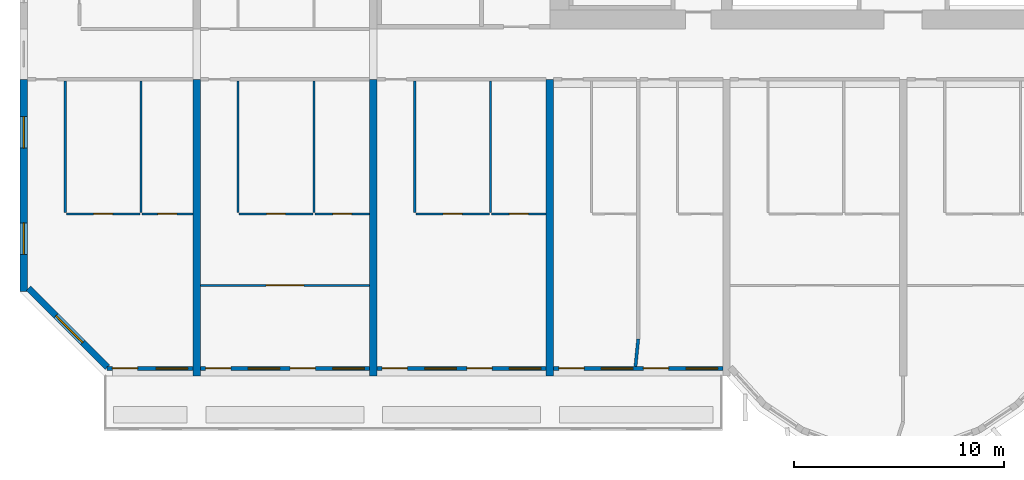
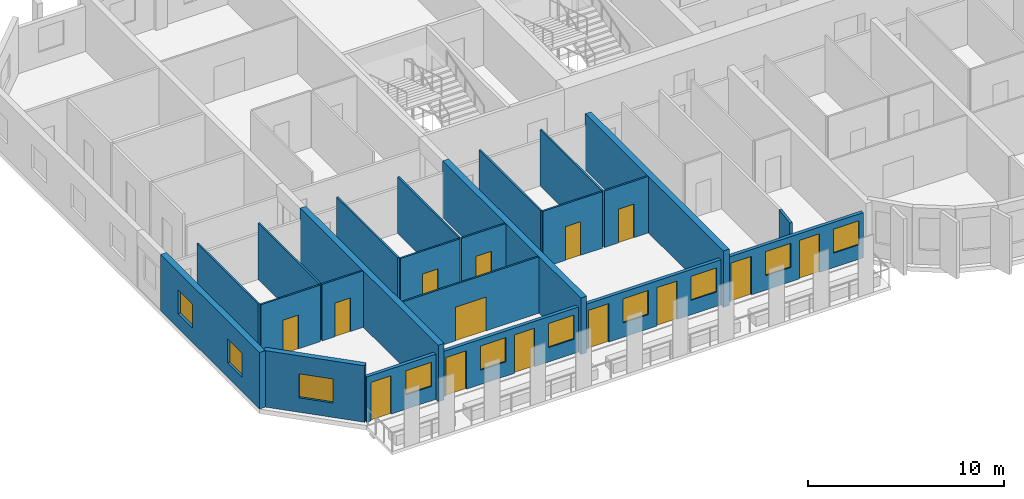
# One storey, part 2 of 15: 23 walls, 14 doors, 10 windows, 24 openings.
"""IFC4 building model written with IfcOpenShell, lengths in metres."""

from ifc_helpers import new_model, si_unit, direction, frame, frame_2d, origin, place, context, subcontext, project, spatial, rectangle, extrude, source, transform, mapped, material, layer, layer_set, type_object, element, fill, save


model = new_model("IFC4")

# Units and contexts
model_context = context("Model", 3, precision=1e-05, world=origin(), true_north=direction((0.0, 1.0)))
body_context = subcontext(model_context, "Body", "Model", "MODEL_VIEW")
ifc_project = project(units=[si_unit("LENGTHUNIT", "METRE"), si_unit("AREAUNIT", "SQUARE_METRE"), si_unit("VOLUMEUNIT", "CUBIC_METRE"), si_unit("PLANEANGLEUNIT", "RADIAN"), si_unit("MASSUNIT", "GRAM", prefix="KILO")], contexts=[model_context])

# Site, building, storey
site_placement = place(None, origin())
site = spatial("IfcSite", under=ifc_project, at=site_placement, CompositionType="ELEMENT")
building_placement = place(site_placement, origin())
building = spatial("IfcBuilding", under=site, at=building_placement, Name="Vanashikhar Sky Hotel", CompositionType="ELEMENT")
storey_placement = place(building_placement, frame((0.0, 0.0, 133.199951171875)))
storey = spatial("IfcBuildingStorey", under=building, at=storey_placement, Name="L32", CompositionType="ELEMENT", Elevation=133.199951171875)

# Wall, openings, windows
ifc_material_1 = material(Name="Concrete M70", Category="concrete")
ifc_layer_1 = layer(ifc_material_1, 0.35009765625)
ifc_layer_set_1 = layer_set([ifc_layer_1], Name="RC shear wall 350 Concrete M70")
wall_type_1 = type_object("IfcWallType", Name="RC shear wall 350 Concrete M70", PredefinedType="SHEAR", material=ifc_layer_set_1)
shared_shape_1 = source(origin(), body_context, "Body", "SweptSolid", [
    extrude(rectangle(XDim=10.10009765625, YDim=0.35009765625, at=frame_2d((5.050048828125, 0.0))), origin(), (0.0, 0.0, 1.0), 3.52001953125),
])
wall_1_placement = place(storey_placement, frame((0.175048828125, 9.5, 0.0), z_axis=(0.0, 0.0, 1.0), x_axis=(0.0, 1.0, 0.0)))
wall_1 = element("IfcWall", 1, at=wall_1_placement, inside=storey, type_object=wall_type_1, Name="CW-L32-XW01-1", PredefinedType="SHEAR", context=body_context, shape_type="MappedRepresentation", body=[
    mapped(shared_shape_1, transform((0.0, 0.0, 0.0), scale=1.0)),
])
shared_shape_2 = source(origin(), body_context, "Body", "SweptSolid", [
    extrude(rectangle(XDim=1.5, YDim=1.5, at=frame_2d((0.75, 0.75))), frame((0.0, 0.18505859375, 0.0), z_axis=(0.0, -1.0, 0.0), x_axis=(1.0, 0.0, 0.0)), (0.0, 0.0, 1.0), 0.3701171875),
])
opening_1_placement = place(wall_1_placement, frame((1.77490234375, 0.0, 0.89990234375)))
opening_1 = element("IfcOpeningElement", 2, at=opening_1_placement, cuts=wall_1, Name="Opening WN-1", PredefinedType="OPENING", context=body_context, shape_type="MappedRepresentation", body=[
    mapped(shared_shape_2, transform((0.0, 0.0, 0.0), scale=1.0)),
])
opening_2_placement = place(wall_1_placement, frame((6.824951171875, 0.0, 0.89990234375)))
opening_2 = element("IfcOpeningElement", 3, at=opening_2_placement, cuts=wall_1, Name="Opening WN-1", PredefinedType="OPENING", context=body_context, shape_type="MappedRepresentation", body=[
    mapped(shared_shape_2, transform((0.0, 0.0, 0.0), scale=1.0)),
])
ifc_material_2 = material(Name="Glass", Category="glass")
window_type_1 = type_object("IfcWindowType", Name="Window 1500 x 1500", PartitioningType="SINGLE_PANEL", PredefinedType="WINDOW", material=ifc_material_2)
shared_shape_3 = source(origin(), body_context, "Body", "SweptSolid", [
    extrude(rectangle(XDim=1.5, YDim=1.5, at=frame_2d((0.75, 0.75))), frame((0.0, 0.030029296875, 0.0), z_axis=(0.0, -1.0, 0.0), x_axis=(1.0, 0.0, 0.0)), (0.0, 0.0, 1.0), 0.06005859375),
])
window_1_placement = place(opening_1_placement, origin())
window_1 = element("IfcWindow", 4, at=window_1_placement, inside=storey, type_object=window_type_1, Name="Window WN-1", OverallHeight=1.5, OverallWidth=1.5, PartitioningType="SINGLE_PANEL", PredefinedType="WINDOW", context=body_context, shape_type="MappedRepresentation", body=[
    mapped(shared_shape_3, transform((0.0, 0.0, 0.0), scale=1.0)),
])
fill(opening_1, window_1)
window_2_placement = place(opening_2_placement, origin())
window_2 = element("IfcWindow", 5, at=window_2_placement, inside=storey, type_object=window_type_1, Name="Window WN-1", OverallHeight=1.5, OverallWidth=1.5, PartitioningType="SINGLE_PANEL", PredefinedType="WINDOW", context=body_context, shape_type="MappedRepresentation", body=[
    mapped(shared_shape_3, transform((0.0, 0.0, 0.0), scale=1.0)),
])
fill(opening_2, window_2)

# Walls
shared_shape_4 = source(origin(), body_context, "Body", "SweptSolid", [
    extrude(rectangle(XDim=14.10009765625, YDim=0.35009765625, at=frame_2d((7.050048828125, 0.0))), origin(), (0.0, 0.0, 1.0), 3.52001953125),
])
for number, where, z_axis, x_axis, name in (
    (6, (8.39990234375, 5.5, 0.0), (0.0, 0.0, 1.0), (0.0, 1.0, 0.0), "CW-L32-XW02-1"),
    (7, (16.800048828125, 5.5, 0.0), (0.0, 0.0, 1.0), (0.0, 1.0, 0.0), "CW-L32-XW03-1"),
    (8, (25.199951171875, 5.5, 0.0), (0.0, 0.0, 1.0), (0.0, 1.0, 0.0), "CW-L32-XW04-1"),
):
    element("IfcWall", number, at=place(storey_placement, frame(where, z_axis=z_axis, x_axis=x_axis)), inside=storey, type_object=wall_type_1, Name=name, PredefinedType="SHEAR", context=body_context, shape_type="MappedRepresentation", body=[
        mapped(shared_shape_4, transform((0.0, 0.0, 0.0), scale=1.0)),
    ])

# Wall, opening, window
ifc_material_3 = material(Name="Concrete M50", Category="concrete")
ifc_layer_2 = layer(ifc_material_3, 0.300048828125)
ifc_layer_set_2 = layer_set([ifc_layer_2], Name="Lobe wall 300")
wall_type_2 = type_object("IfcWallType", Name="Lobe wall 300", PredefinedType="SOLIDWALL", material=ifc_layer_set_2)
shared_shape_5 = source(origin(), body_context, "Body", "SweptSolid", [
    extrude(rectangle(XDim=5.32568359375, YDim=0.300048828125, at=frame_2d((2.662841796875, 0.0))), origin(), (0.0, 0.0, 1.0), 3.52001953125),
])
wall_2_placement = place(storey_placement, frame((0.39990234375, 9.665771484375, 0.0), z_axis=(0.0, 0.0, 1.0), x_axis=(0.707106781187, -0.707106781187, 0.0)))
wall_2 = element("IfcWall", 9, at=wall_2_placement, inside=storey, type_object=wall_type_2, Name="Corner wall", PredefinedType="SOLIDWALL", context=body_context, shape_type="MappedRepresentation", body=[
    mapped(shared_shape_5, transform((0.0, 0.0, 0.0), scale=1.0)),
])
shared_shape_6 = source(origin(), body_context, "Body", "SweptSolid", [
    extrude(rectangle(XDim=1.800048828125, YDim=1.5, at=frame_2d((0.89990234375, 0.75))), frame((0.0, 0.16015625, 0.0), z_axis=(0.0, -1.0, 0.0), x_axis=(1.0, 0.0, 0.0)), (0.0, 0.0, 1.0), 0.320068359375),
])
opening_3_placement = place(wall_2_placement, frame((1.853759765625, 0.0, 0.89990234375)))
opening_3 = element("IfcOpeningElement", 10, at=opening_3_placement, cuts=wall_2, Name="Opening WN-4", PredefinedType="OPENING", context=body_context, shape_type="MappedRepresentation", body=[
    mapped(shared_shape_6, transform((0.0, 0.0, 0.0), scale=1.0)),
])
window_type_2 = type_object("IfcWindowType", Name="Corner window 1800 x 1500", PartitioningType="SINGLE_PANEL", PredefinedType="WINDOW", material=ifc_material_2)
shared_shape_7 = source(origin(), body_context, "Body", "SweptSolid", [
    extrude(rectangle(XDim=1.800048828125, YDim=1.5, at=frame_2d((0.89990234375, 0.75))), frame((0.0, 0.030029296875, 0.0), z_axis=(0.0, -1.0, 0.0), x_axis=(1.0, 0.0, 0.0)), (0.0, 0.0, 1.0), 0.06005859375),
])
window_3_placement = place(opening_3_placement, origin())
window_3 = element("IfcWindow", 11, at=window_3_placement, inside=storey, type_object=window_type_2, Name="Window WN-4", OverallHeight=1.5, OverallWidth=1.800048828125, PartitioningType="SINGLE_PANEL", PredefinedType="WINDOW", context=body_context, shape_type="MappedRepresentation", body=[
    mapped(shared_shape_7, transform((0.0, 0.0, 0.0), scale=1.0)),
])
fill(opening_3, window_3)

# Wall, openings, window, door
ifc_layer_3 = layer(ifc_material_3, 0.199951171875)
ifc_layer_set_3 = layer_set([ifc_layer_3], Name="Front window wall 200")
wall_type_3 = type_object("IfcWallType", Name="Front window wall 200", PredefinedType="SOLIDWALL", material=ifc_layer_set_3)
shared_shape_8 = source(origin(), body_context, "Body", "SweptSolid", [
    extrude(rectangle(XDim=4.080078125, YDim=0.199951171875, at=frame_2d((2.0400390625, 0.0))), origin(), (0.0, 0.0, 1.0), 2.820068359375),
])
wall_3_placement = place(storey_placement, frame((4.14501953125, 5.85009765625, 0.0), z_axis=(0.0, 0.0, 1.0), x_axis=(1.0, 0.0, 0.0)))
wall_3 = element("IfcWall", 12, at=wall_3_placement, inside=storey, type_object=wall_type_3, Name="Front window wall", PredefinedType="SOLIDWALL", context=body_context, shape_type="MappedRepresentation", body=[
    mapped(shared_shape_8, transform((0.0, 0.0, 0.0), scale=1.0)),
])
shared_shape_9 = source(origin(), body_context, "Body", "SweptSolid", [
    extrude(rectangle(XDim=1.199951171875, YDim=2.39990234375, at=frame_2d((0.60009765625, 1.199951171875))), frame((0.0, 0.10986328125, 0.0), z_axis=(0.0, -1.0, 0.0), x_axis=(1.0, 0.0, 0.0)), (0.0, 0.0, 1.0), 0.219970703125),
])
opening_4_placement = place(wall_3_placement, frame((0.25, 0.0, 0.0)))
opening_4 = element("IfcOpeningElement", 13, at=opening_4_placement, cuts=wall_3, Name="Opening BD-01", PredefinedType="OPENING", context=body_context, shape_type="MappedRepresentation", body=[
    mapped(shared_shape_9, transform((0.0, 0.0, 0.0), scale=1.0)),
])
shared_shape_10 = source(origin(), body_context, "Body", "SweptSolid", [
    extrude(rectangle(XDim=1.5, YDim=1.5, at=frame_2d((0.75, 0.75))), frame((0.0, 0.10986328125, 0.0), z_axis=(0.0, -1.0, 0.0), x_axis=(1.0, 0.0, 0.0)), (0.0, 0.0, 1.0), 0.219970703125),
])
opening_5_placement = place(wall_3_placement, frame((2.330078125, 0.0, 0.89990234375)))
opening_5 = element("IfcOpeningElement", 14, at=opening_5_placement, cuts=wall_3, Name="Opening WN-1", PredefinedType="OPENING", context=body_context, shape_type="MappedRepresentation", body=[
    mapped(shared_shape_10, transform((0.0, 0.0, 0.0), scale=1.0)),
])
window_4_placement = place(opening_5_placement, origin())
window_4 = element("IfcWindow", 15, at=window_4_placement, inside=storey, type_object=window_type_1, Name="Window WN-1", OverallHeight=1.5, OverallWidth=1.5, PartitioningType="SINGLE_PANEL", PredefinedType="WINDOW", context=body_context, shape_type="MappedRepresentation", body=[
    mapped(shared_shape_3, transform((0.0, 0.0, 0.0), scale=1.0)),
])
fill(opening_5, window_4)
ifc_material_4 = material(Name="Aluminium", Category="aluminium")
door_type_1 = type_object("IfcDoorType", Name="Balcony sliding door 1200 x 2400", OperationType="NOTDEFINED", PredefinedType="DOOR", material=ifc_material_4)
shared_shape_11 = source(origin(), body_context, "Body", "SweptSolid", [
    extrude(rectangle(XDim=1.199951171875, YDim=2.39990234375, at=frame_2d((0.60009765625, 1.199951171875))), frame((0.0, 0.02490234375, 0.0), z_axis=(0.0, -1.0, 0.0), x_axis=(1.0, 0.0, 0.0)), (0.0, 0.0, 1.0), 0.050048828125),
])
door_1_placement = place(opening_4_placement, origin())
door_1 = element("IfcDoor", 16, at=door_1_placement, inside=storey, type_object=door_type_1, Name="Balcony sliding door", OperationType="SLIDING_TO_LEFT", OverallHeight=2.39990234375, OverallWidth=1.199951171875, PredefinedType="DOOR", context=body_context, shape_type="MappedRepresentation", body=[
    mapped(shared_shape_11, transform((0.0, 0.0, 0.0), scale=1.0)),
])
fill(opening_4, door_1)

# Wall, openings, windows, doors
shared_shape_12 = source(origin(), body_context, "Body", "SweptSolid", [
    extrude(rectangle(XDim=8.050048828125, YDim=0.199951171875, at=frame_2d((4.02490234375, 0.0))), origin(), (0.0, 0.0, 1.0), 2.820068359375),
])
wall_4_placement = place(storey_placement, frame((8.574951171875, 5.85009765625, 0.0), z_axis=(0.0, 0.0, 1.0), x_axis=(1.0, 0.0, 0.0)))
wall_4 = element("IfcWall", 17, at=wall_4_placement, inside=storey, type_object=wall_type_3, Name="Front window wall", PredefinedType="SOLIDWALL", context=body_context, shape_type="MappedRepresentation", body=[
    mapped(shared_shape_12, transform((0.0, 0.0, 0.0), scale=1.0)),
])
opening_6_placement = place(wall_4_placement, frame((0.25, 0.0, 0.0)))
opening_6 = element("IfcOpeningElement", 18, at=opening_6_placement, cuts=wall_4, Name="Opening BD-02", PredefinedType="OPENING", context=body_context, shape_type="MappedRepresentation", body=[
    mapped(shared_shape_9, transform((0.0, 0.0, 0.0), scale=1.0)),
])
opening_7_placement = place(wall_4_placement, frame((2.27490234375, 0.0, 0.89990234375)))
opening_7 = element("IfcOpeningElement", 19, at=opening_7_placement, cuts=wall_4, Name="Opening WN-1", PredefinedType="OPENING", context=body_context, shape_type="MappedRepresentation", body=[
    mapped(shared_shape_10, transform((0.0, 0.0, 0.0), scale=1.0)),
])
opening_8_placement = place(wall_4_placement, frame((4.27490234375, 0.0, 0.0)))
opening_8 = element("IfcOpeningElement", 20, at=opening_8_placement, cuts=wall_4, Name="Opening BD-03", PredefinedType="OPENING", context=body_context, shape_type="MappedRepresentation", body=[
    mapped(shared_shape_9, transform((0.0, 0.0, 0.0), scale=1.0)),
])
opening_9_placement = place(wall_4_placement, frame((6.300048828125, 0.0, 0.89990234375)))
opening_9 = element("IfcOpeningElement", 21, at=opening_9_placement, cuts=wall_4, Name="Opening WN-1", PredefinedType="OPENING", context=body_context, shape_type="MappedRepresentation", body=[
    mapped(shared_shape_10, transform((0.0, 0.0, 0.0), scale=1.0)),
])
window_5_placement = place(opening_7_placement, origin())
window_5 = element("IfcWindow", 22, at=window_5_placement, inside=storey, type_object=window_type_1, Name="Window WN-1", OverallHeight=1.5, OverallWidth=1.5, PartitioningType="SINGLE_PANEL", PredefinedType="WINDOW", context=body_context, shape_type="MappedRepresentation", body=[
    mapped(shared_shape_3, transform((0.0, 0.0, 0.0), scale=1.0)),
])
fill(opening_7, window_5)
window_6_placement = place(opening_9_placement, origin())
window_6 = element("IfcWindow", 23, at=window_6_placement, inside=storey, type_object=window_type_1, Name="Window WN-1", OverallHeight=1.5, OverallWidth=1.5, PartitioningType="SINGLE_PANEL", PredefinedType="WINDOW", context=body_context, shape_type="MappedRepresentation", body=[
    mapped(shared_shape_3, transform((0.0, 0.0, 0.0), scale=1.0)),
])
fill(opening_9, window_6)
door_2_placement = place(opening_6_placement, origin())
door_2 = element("IfcDoor", 24, at=door_2_placement, inside=storey, type_object=door_type_1, Name="Balcony sliding door", OperationType="SLIDING_TO_RIGHT", OverallHeight=2.39990234375, OverallWidth=1.199951171875, PredefinedType="DOOR", context=body_context, shape_type="MappedRepresentation", body=[
    mapped(shared_shape_11, transform((0.0, 0.0, 0.0), scale=1.0)),
])
fill(opening_6, door_2)
door_3_placement = place(opening_8_placement, origin())
door_3 = element("IfcDoor", 25, at=door_3_placement, inside=storey, type_object=door_type_1, Name="Balcony sliding door", OperationType="SLIDING_TO_LEFT", OverallHeight=2.39990234375, OverallWidth=1.199951171875, PredefinedType="DOOR", context=body_context, shape_type="MappedRepresentation", body=[
    mapped(shared_shape_11, transform((0.0, 0.0, 0.0), scale=1.0)),
])
fill(opening_8, door_3)

wall_5_placement = place(storey_placement, frame((25.375, 5.85009765625, 0.0), z_axis=(0.0, 0.0, 1.0), x_axis=(1.0, 0.0, 0.0)))
wall_5 = element("IfcWall", 26, at=wall_5_placement, inside=storey, type_object=wall_type_3, Name="Front window wall", PredefinedType="SOLIDWALL", context=body_context, shape_type="MappedRepresentation", body=[
    mapped(shared_shape_12, transform((0.0, 0.0, 0.0), scale=1.0)),
])
opening_10_placement = place(wall_5_placement, frame((0.25, 0.0, 0.0)))
opening_10 = element("IfcOpeningElement", 27, at=opening_10_placement, cuts=wall_5, Name="Opening BD-06", PredefinedType="OPENING", context=body_context, shape_type="MappedRepresentation", body=[
    mapped(shared_shape_9, transform((0.0, 0.0, 0.0), scale=1.0)),
])
opening_11_placement = place(wall_5_placement, frame((2.27490234375, 0.0, 0.89990234375)))
opening_11 = element("IfcOpeningElement", 28, at=opening_11_placement, cuts=wall_5, Name="Opening WN-1", PredefinedType="OPENING", context=body_context, shape_type="MappedRepresentation", body=[
    mapped(shared_shape_10, transform((0.0, 0.0, 0.0), scale=1.0)),
])
opening_12_placement = place(wall_5_placement, frame((4.27490234375, 0.0, 0.0)))
opening_12 = element("IfcOpeningElement", 29, at=opening_12_placement, cuts=wall_5, Name="Opening BD-07", PredefinedType="OPENING", context=body_context, shape_type="MappedRepresentation", body=[
    mapped(shared_shape_9, transform((0.0, 0.0, 0.0), scale=1.0)),
])
opening_13_placement = place(wall_5_placement, frame((6.300048828125, 0.0, 0.89990234375)))
opening_13 = element("IfcOpeningElement", 30, at=opening_13_placement, cuts=wall_5, Name="Opening WN-1", PredefinedType="OPENING", context=body_context, shape_type="MappedRepresentation", body=[
    mapped(shared_shape_10, transform((0.0, 0.0, 0.0), scale=1.0)),
])
window_7_placement = place(opening_11_placement, origin())
window_7 = element("IfcWindow", 31, at=window_7_placement, inside=storey, type_object=window_type_1, Name="Window WN-1", OverallHeight=1.5, OverallWidth=1.5, PartitioningType="SINGLE_PANEL", PredefinedType="WINDOW", context=body_context, shape_type="MappedRepresentation", body=[
    mapped(shared_shape_3, transform((0.0, 0.0, 0.0), scale=1.0)),
])
fill(opening_11, window_7)
window_8_placement = place(opening_13_placement, origin())
window_8 = element("IfcWindow", 32, at=window_8_placement, inside=storey, type_object=window_type_1, Name="Window WN-1", OverallHeight=1.5, OverallWidth=1.5, PartitioningType="SINGLE_PANEL", PredefinedType="WINDOW", context=body_context, shape_type="MappedRepresentation", body=[
    mapped(shared_shape_3, transform((0.0, 0.0, 0.0), scale=1.0)),
])
fill(opening_13, window_8)
door_4_placement = place(opening_10_placement, origin())
door_4 = element("IfcDoor", 33, at=door_4_placement, inside=storey, type_object=door_type_1, Name="Balcony sliding door", OperationType="SLIDING_TO_RIGHT", OverallHeight=2.39990234375, OverallWidth=1.199951171875, PredefinedType="DOOR", context=body_context, shape_type="MappedRepresentation", body=[
    mapped(shared_shape_11, transform((0.0, 0.0, 0.0), scale=1.0)),
])
fill(opening_10, door_4)
door_5_placement = place(opening_12_placement, origin())
door_5 = element("IfcDoor", 34, at=door_5_placement, inside=storey, type_object=door_type_1, Name="Balcony sliding door", OperationType="SLIDING_TO_LEFT", OverallHeight=2.39990234375, OverallWidth=1.199951171875, PredefinedType="DOOR", context=body_context, shape_type="MappedRepresentation", body=[
    mapped(shared_shape_11, transform((0.0, 0.0, 0.0), scale=1.0)),
])
fill(opening_12, door_5)

shared_shape_13 = source(origin(), body_context, "Body", "SweptSolid", [
    extrude(rectangle(XDim=8.0498046875, YDim=0.199951171875, at=frame_2d((4.02490234375, 0.0))), origin(), (0.0, 0.0, 1.0), 2.820068359375),
])
wall_6_placement = place(storey_placement, frame((16.97509765625, 5.85009765625, 0.0), z_axis=(0.0, 0.0, 1.0), x_axis=(1.0, 0.0, 0.0)))
wall_6 = element("IfcWall", 35, at=wall_6_placement, inside=storey, type_object=wall_type_3, Name="Front window wall", PredefinedType="SOLIDWALL", context=body_context, shape_type="MappedRepresentation", body=[
    mapped(shared_shape_13, transform((0.0, 0.0, 0.0), scale=1.0)),
])
opening_14_placement = place(wall_6_placement, frame((0.25, 0.0, 0.0)))
opening_14 = element("IfcOpeningElement", 36, at=opening_14_placement, cuts=wall_6, Name="Opening BD-04", PredefinedType="OPENING", context=body_context, shape_type="MappedRepresentation", body=[
    mapped(shared_shape_9, transform((0.0, 0.0, 0.0), scale=1.0)),
])
opening_15_placement = place(wall_6_placement, frame((2.27490234375, 0.0, 0.89990234375)))
opening_15 = element("IfcOpeningElement", 37, at=opening_15_placement, cuts=wall_6, Name="Opening WN-1", PredefinedType="OPENING", context=body_context, shape_type="MappedRepresentation", body=[
    mapped(shared_shape_10, transform((0.0, 0.0, 0.0), scale=1.0)),
])
opening_16_placement = place(wall_6_placement, frame((4.27490234375, 0.0, 0.0)))
opening_16 = element("IfcOpeningElement", 38, at=opening_16_placement, cuts=wall_6, Name="Opening BD-05", PredefinedType="OPENING", context=body_context, shape_type="MappedRepresentation", body=[
    mapped(shared_shape_9, transform((0.0, 0.0, 0.0), scale=1.0)),
])
opening_17_placement = place(wall_6_placement, frame((6.300048828125, 0.0, 0.89990234375)))
opening_17 = element("IfcOpeningElement", 39, at=opening_17_placement, cuts=wall_6, Name="Opening WN-1", PredefinedType="OPENING", context=body_context, shape_type="MappedRepresentation", body=[
    mapped(shared_shape_10, transform((0.0, 0.0, 0.0), scale=1.0)),
])
window_9_placement = place(opening_15_placement, origin())
window_9 = element("IfcWindow", 40, at=window_9_placement, inside=storey, type_object=window_type_1, Name="Window WN-1", OverallHeight=1.5, OverallWidth=1.5, PartitioningType="SINGLE_PANEL", PredefinedType="WINDOW", context=body_context, shape_type="MappedRepresentation", body=[
    mapped(shared_shape_3, transform((0.0, 0.0, 0.0), scale=1.0)),
])
fill(opening_15, window_9)
window_10_placement = place(opening_17_placement, origin())
window_10 = element("IfcWindow", 41, at=window_10_placement, inside=storey, type_object=window_type_1, Name="Window WN-1", OverallHeight=1.5, OverallWidth=1.5, PartitioningType="SINGLE_PANEL", PredefinedType="WINDOW", context=body_context, shape_type="MappedRepresentation", body=[
    mapped(shared_shape_3, transform((0.0, 0.0, 0.0), scale=1.0)),
])
fill(opening_17, window_10)
door_6_placement = place(opening_14_placement, origin())
door_6 = element("IfcDoor", 42, at=door_6_placement, inside=storey, type_object=door_type_1, Name="Balcony sliding door", OperationType="SLIDING_TO_RIGHT", OverallHeight=2.39990234375, OverallWidth=1.199951171875, PredefinedType="DOOR", context=body_context, shape_type="MappedRepresentation", body=[
    mapped(shared_shape_11, transform((0.0, 0.0, 0.0), scale=1.0)),
])
fill(opening_14, door_6)
door_7_placement = place(opening_16_placement, origin())
door_7 = element("IfcDoor", 43, at=door_7_placement, inside=storey, type_object=door_type_1, Name="Balcony sliding door", OperationType="SLIDING_TO_LEFT", OverallHeight=2.39990234375, OverallWidth=1.199951171875, PredefinedType="DOOR", context=body_context, shape_type="MappedRepresentation", body=[
    mapped(shared_shape_11, transform((0.0, 0.0, 0.0), scale=1.0)),
])
fill(opening_16, door_7)

# Wall, opening, door
ifc_material_5 = material(Name="Gypsum plasterboard partition")
ifc_layer_4 = layer(ifc_material_5, 0.10009765625)
ifc_layer_set_4 = layer_set([ifc_layer_4], Name="Wet room partition 100")
wall_type_4 = type_object("IfcWallType", Name="Wet room partition 100", PredefinedType="PARTITIONING", material=ifc_layer_set_4)
shared_shape_14 = source(origin(), body_context, "Body", "SweptSolid", [
    extrude(rectangle(XDim=3.5, YDim=0.10009765625, at=frame_2d((1.75, 0.0))), origin(), (0.0, 0.0, 1.0), 3.52001953125),
])
wall_7_placement = place(storey_placement, frame((2.199951171875, 13.199951171875, 0.0), z_axis=(0.0, 0.0, 1.0), x_axis=(1.0, 0.0, 0.0)))
wall_7 = element("IfcWall", 44, at=wall_7_placement, inside=storey, type_object=wall_type_4, Name="W-L32-PW003", PredefinedType="PARTITIONING", context=body_context, shape_type="MappedRepresentation", body=[
    mapped(shared_shape_14, transform((0.0, 0.0, 0.0), scale=1.0)),
])
shared_shape_15 = source(origin(), body_context, "Body", "SweptSolid", [
    extrude(rectangle(XDim=0.89990234375, YDim=2.10009765625, at=frame_2d((0.449951171875, 1.050048828125))), frame((0.0, 0.06005859375, 0.0), z_axis=(0.0, -1.0, 0.0), x_axis=(1.0, 0.0, 0.0)), (0.0, 0.0, 1.0), 0.1201171875),
])
opening_18_placement = place(wall_7_placement, frame((1.300048828125, 0.0, 0.0)))
opening_18 = element("IfcOpeningElement", 45, at=opening_18_placement, cuts=wall_7, Name="Opening D-02", PredefinedType="OPENING", context=body_context, shape_type="MappedRepresentation", body=[
    mapped(shared_shape_15, transform((0.0, 0.0, 0.0), scale=1.0)),
])
ifc_material_6 = material(Name="Timber door", Category="wood")
door_type_2 = type_object("IfcDoorType", Name="Internal door 900", OperationType="NOTDEFINED", PredefinedType="DOOR", material=ifc_material_6)
shared_shape_16 = source(origin(), body_context, "Body", "SweptSolid", [
    extrude(rectangle(XDim=0.89990234375, YDim=2.10009765625, at=frame_2d((0.449951171875, 1.050048828125))), frame((0.0, 0.02490234375, 0.0), z_axis=(0.0, -1.0, 0.0), x_axis=(1.0, 0.0, 0.0)), (0.0, 0.0, 1.0), 0.050048828125),
])
door_8_placement = place(opening_18_placement, origin())
door_8 = element("IfcDoor", 46, at=door_8_placement, inside=storey, type_object=door_type_2, Name="D-L32-001", OperationType="SINGLE_SWING_LEFT", OverallHeight=2.10009765625, OverallWidth=0.89990234375, PredefinedType="DOOR", context=body_context, shape_type="MappedRepresentation", body=[
    mapped(shared_shape_16, transform((0.0, 0.0, 0.0), scale=1.0)),
])
fill(opening_18, door_8)

wall_8_placement = place(storey_placement, frame((10.425048828125, 13.199951171875, 0.0), z_axis=(0.0, 0.0, 1.0), x_axis=(1.0, 0.0, 0.0)))
wall_8 = element("IfcWall", 47, at=wall_8_placement, inside=storey, type_object=wall_type_4, Name="W-L32-PW008", PredefinedType="PARTITIONING", context=body_context, shape_type="MappedRepresentation", body=[
    mapped(shared_shape_14, transform((0.0, 0.0, 0.0), scale=1.0)),
])
opening_19_placement = place(wall_8_placement, frame((1.300048828125, 0.0, 0.0)))
opening_19 = element("IfcOpeningElement", 48, at=opening_19_placement, cuts=wall_8, Name="Opening D-02", PredefinedType="OPENING", context=body_context, shape_type="MappedRepresentation", body=[
    mapped(shared_shape_15, transform((0.0, 0.0, 0.0), scale=1.0)),
])
door_9_placement = place(opening_19_placement, origin())
door_9 = element("IfcDoor", 49, at=door_9_placement, inside=storey, type_object=door_type_2, Name="D-L32-004", OperationType="SINGLE_SWING_LEFT", OverallHeight=2.10009765625, OverallWidth=0.89990234375, PredefinedType="DOOR", context=body_context, shape_type="MappedRepresentation", body=[
    mapped(shared_shape_16, transform((0.0, 0.0, 0.0), scale=1.0)),
])
fill(opening_19, door_9)

wall_9_placement = place(storey_placement, frame((18.824951171875, 13.199951171875, 0.0), z_axis=(0.0, 0.0, 1.0), x_axis=(1.0, 0.0, 0.0)))
wall_9 = element("IfcWall", 50, at=wall_9_placement, inside=storey, type_object=wall_type_4, Name="W-L32-PW014", PredefinedType="PARTITIONING", context=body_context, shape_type="MappedRepresentation", body=[
    mapped(shared_shape_14, transform((0.0, 0.0, 0.0), scale=1.0)),
])
opening_20_placement = place(wall_9_placement, frame((1.300048828125, 0.0, 0.0)))
opening_20 = element("IfcOpeningElement", 51, at=opening_20_placement, cuts=wall_9, Name="Opening D-02", PredefinedType="OPENING", context=body_context, shape_type="MappedRepresentation", body=[
    mapped(shared_shape_15, transform((0.0, 0.0, 0.0), scale=1.0)),
])
door_10_placement = place(opening_20_placement, origin())
door_10 = element("IfcDoor", 52, at=door_10_placement, inside=storey, type_object=door_type_2, Name="D-L32-008", OperationType="SINGLE_SWING_LEFT", OverallHeight=2.10009765625, OverallWidth=0.89990234375, PredefinedType="DOOR", context=body_context, shape_type="MappedRepresentation", body=[
    mapped(shared_shape_16, transform((0.0, 0.0, 0.0), scale=1.0)),
])
fill(opening_20, door_10)

# Walls
shared_shape_17 = source(origin(), body_context, "Body", "SweptSolid", [
    extrude(rectangle(XDim=6.25, YDim=0.10009765625, at=frame_2d((3.125, 0.0))), origin(), (0.0, 0.0, 1.0), 3.52001953125),
])
for number, where, z_axis, x_axis, name in (
    (53, (2.14990234375, 13.27490234375, 0.0), (0.0, 0.0, 1.0), (0.0, 1.0, 0.0), "W-L32-PW001"),
    (54, (5.75, 13.27490234375, 0.0), (0.0, 0.0, 1.0), (0.0, 1.0, 0.0), "W-L32-PW002"),
    (55, (10.375, 13.27490234375, 0.0), (0.0, 0.0, 1.0), (0.0, 1.0, 0.0), "W-L32-PW006"),
    (56, (13.97509765625, 13.27490234375, 0.0), (0.0, 0.0, 1.0), (0.0, 1.0, 0.0), "W-L32-PW007"),
    (57, (18.77490234375, 13.27490234375, 0.0), (0.0, 0.0, 1.0), (0.0, 1.0, 0.0), "W-L32-PW012"),
    (58, (22.375, 13.27490234375, 0.0), (0.0, 0.0, 1.0), (0.0, 1.0, 0.0), "W-L32-PW013"),
):
    element("IfcWall", number, at=place(storey_placement, frame(where, z_axis=z_axis, x_axis=x_axis)), inside=storey, type_object=wall_type_4, Name=name, PredefinedType="PARTITIONING", context=body_context, shape_type="MappedRepresentation", body=[
        mapped(shared_shape_17, transform((0.0, 0.0, 0.0), scale=1.0)),
    ])

# Wall, opening, door
shared_shape_18 = source(origin(), body_context, "Body", "SweptSolid", [
    extrude(rectangle(XDim=2.60009765625, YDim=0.10009765625, at=frame_2d((1.300048828125, 0.0))), origin(), (0.0, 0.0, 1.0), 3.52001953125),
])
wall_10_placement = place(storey_placement, frame((14.02490234375, 13.199951171875, 0.0), z_axis=(0.0, 0.0, 1.0), x_axis=(1.0, 0.0, 0.0)))
wall_10 = element("IfcWall", 59, at=wall_10_placement, inside=storey, type_object=wall_type_4, Name="W-L32-PW009", PredefinedType="PARTITIONING", context=body_context, shape_type="MappedRepresentation", body=[
    mapped(shared_shape_18, transform((0.0, 0.0, 0.0), scale=1.0)),
])
opening_21_placement = place(wall_10_placement, frame((0.85009765625, 0.0, 0.0)))
opening_21 = element("IfcOpeningElement", 60, at=opening_21_placement, cuts=wall_10, Name="Opening D-02", PredefinedType="OPENING", context=body_context, shape_type="MappedRepresentation", body=[
    mapped(shared_shape_15, transform((0.0, 0.0, 0.0), scale=1.0)),
])
door_11_placement = place(opening_21_placement, origin())
door_11 = element("IfcDoor", 61, at=door_11_placement, inside=storey, type_object=door_type_2, Name="D-L32-005", OperationType="SINGLE_SWING_LEFT", OverallHeight=2.10009765625, OverallWidth=0.89990234375, PredefinedType="DOOR", context=body_context, shape_type="MappedRepresentation", body=[
    mapped(shared_shape_16, transform((0.0, 0.0, 0.0), scale=1.0)),
])
fill(opening_21, door_11)

shared_shape_19 = source(origin(), body_context, "Body", "SweptSolid", [
    extrude(rectangle(XDim=2.599853515625, YDim=0.10009765625, at=frame_2d((1.2998046875, 0.0))), origin(), (0.0, 0.0, 1.0), 3.52001953125),
])
wall_11_placement = place(storey_placement, frame((22.425048828125, 13.199951171875, 0.0), z_axis=(0.0, 0.0, 1.0), x_axis=(1.0, 0.0, 0.0)))
wall_11 = element("IfcWall", 62, at=wall_11_placement, inside=storey, type_object=wall_type_4, Name="W-L32-PW015", PredefinedType="PARTITIONING", context=body_context, shape_type="MappedRepresentation", body=[
    mapped(shared_shape_19, transform((0.0, 0.0, 0.0), scale=1.0)),
])
opening_22_placement = place(wall_11_placement, frame((0.85009765625, 0.0, 0.0)))
opening_22 = element("IfcOpeningElement", 63, at=opening_22_placement, cuts=wall_11, Name="Opening D-02", PredefinedType="OPENING", context=body_context, shape_type="MappedRepresentation", body=[
    mapped(shared_shape_15, transform((0.0, 0.0, 0.0), scale=1.0)),
])
door_12_placement = place(opening_22_placement, origin())
door_12 = element("IfcDoor", 64, at=door_12_placement, inside=storey, type_object=door_type_2, Name="D-L32-009", OperationType="SINGLE_SWING_LEFT", OverallHeight=2.10009765625, OverallWidth=0.89990234375, PredefinedType="DOOR", context=body_context, shape_type="MappedRepresentation", body=[
    mapped(shared_shape_16, transform((0.0, 0.0, 0.0), scale=1.0)),
])
fill(opening_22, door_12)

# Wall
ifc_layer_5 = layer(ifc_material_5, 0.14990234375)
ifc_layer_set_5 = layer_set([ifc_layer_5], Name="Corridor and demising partition 150")
wall_type_5 = type_object("IfcWallType", Name="Corridor and demising partition 150", PredefinedType="PARTITIONING", material=ifc_layer_set_5)
shared_shape_20 = source(origin(), body_context, "Body", "SweptSolid", [
    extrude(rectangle(XDim=1.306640625, YDim=0.14990234375, at=frame_2d((0.6533203125, 0.0))), origin(), (0.0, 0.0, 1.0), 3.52001953125),
])
wall_12_placement = place(storey_placement, frame((29.27001953125, 5.949951171875, 0.0), z_axis=(0.0, 0.0, 1.0), x_axis=(0.099411212066, 0.995046436562, 0.0)))
element("IfcWall", 65, at=wall_12_placement, inside=storey, type_object=wall_type_5, Name="W-L32-PW023B0", PredefinedType="PARTITIONING", context=body_context, shape_type="MappedRepresentation", body=[
    mapped(shared_shape_20, transform((0.0, 0.0, 0.0), scale=1.0)),
])

# Wall, opening, door
shared_shape_21 = source(origin(), body_context, "Body", "SweptSolid", [
    extrude(rectangle(XDim=8.050048828125, YDim=0.10009765625, at=frame_2d((4.02490234375, 0.0))), origin(), (0.0, 0.0, 1.0), 3.52001953125),
])
wall_13_placement = place(storey_placement, frame((8.574951171875, 9.802001953125, 0.0), z_axis=(0.0, 0.0, 1.0), x_axis=(1.0, 0.0, 0.0)))
wall_13 = element("IfcWall", 66, at=wall_13_placement, inside=storey, type_object=wall_type_4, Name="W-L32-PW010", PredefinedType="PARTITIONING", context=body_context, shape_type="MappedRepresentation", body=[
    mapped(shared_shape_21, transform((0.0, 0.0, 0.0), scale=1.0)),
])
shared_shape_22 = source(origin(), body_context, "Body", "SweptSolid", [
    extrude(rectangle(XDim=1.800048828125, YDim=2.10009765625, at=frame_2d((0.89990234375, 1.050048828125))), frame((0.0, 0.06005859375, 0.0), z_axis=(0.0, -1.0, 0.0), x_axis=(1.0, 0.0, 0.0)), (0.0, 0.0, 1.0), 0.1201171875),
])
opening_23_placement = place(wall_13_placement, frame((3.125, 0.0, 0.0)))
opening_23 = element("IfcOpeningElement", 67, at=opening_23_placement, cuts=wall_13, Name="Opening D-08", PredefinedType="OPENING", context=body_context, shape_type="MappedRepresentation", body=[
    mapped(shared_shape_22, transform((0.0, 0.0, 0.0), scale=1.0)),
])
door_type_3 = type_object("IfcDoorType", Name="Double leaf door 1800", OperationType="NOTDEFINED", PredefinedType="DOOR", material=ifc_material_6)
shared_shape_23 = source(origin(), body_context, "Body", "SweptSolid", [
    extrude(rectangle(XDim=1.800048828125, YDim=2.10009765625, at=frame_2d((0.89990234375, 1.050048828125))), frame((0.0, 0.02490234375, 0.0), z_axis=(0.0, -1.0, 0.0), x_axis=(1.0, 0.0, 0.0)), (0.0, 0.0, 1.0), 0.050048828125),
])
door_13_placement = place(opening_23_placement, origin())
door_13 = element("IfcDoor", 68, at=door_13_placement, inside=storey, type_object=door_type_3, Name="D-L32-006", OperationType="DOUBLE_DOOR_SINGLE_SWING", OverallHeight=2.10009765625, OverallWidth=1.800048828125, PredefinedType="DOOR", context=body_context, shape_type="MappedRepresentation", body=[
    mapped(shared_shape_23, transform((0.0, 0.0, 0.0), scale=1.0)),
])
fill(opening_23, door_13)

shared_shape_24 = source(origin(), body_context, "Body", "SweptSolid", [
    extrude(rectangle(XDim=2.425048828125, YDim=0.10009765625, at=frame_2d((1.21240234375, 0.0))), origin(), (0.0, 0.0, 1.0), 3.52001953125),
])
wall_14_placement = place(storey_placement, frame((5.800048828125, 13.199951171875, 0.0), z_axis=(0.0, 0.0, 1.0), x_axis=(1.0, 0.0, 0.0)))
wall_14 = element("IfcWall", 69, at=wall_14_placement, inside=storey, type_object=wall_type_4, Name="W-L32-PW004", PredefinedType="PARTITIONING", context=body_context, shape_type="MappedRepresentation", body=[
    mapped(shared_shape_24, transform((0.0, 0.0, 0.0), scale=1.0)),
])
opening_24_placement = place(wall_14_placement, frame((0.761962890625, 0.0, 0.0)))
opening_24 = element("IfcOpeningElement", 70, at=opening_24_placement, cuts=wall_14, Name="Opening D-02", PredefinedType="OPENING", context=body_context, shape_type="MappedRepresentation", body=[
    mapped(shared_shape_15, transform((0.0, 0.0, 0.0), scale=1.0)),
])
door_14_placement = place(opening_24_placement, origin())
door_14 = element("IfcDoor", 71, at=door_14_placement, inside=storey, type_object=door_type_2, Name="D-L32-002", OperationType="SINGLE_SWING_LEFT", OverallHeight=2.10009765625, OverallWidth=0.89990234375, PredefinedType="DOOR", context=body_context, shape_type="MappedRepresentation", body=[
    mapped(shared_shape_16, transform((0.0, 0.0, 0.0), scale=1.0)),
])
fill(opening_24, door_14)

save(model, "model.ifc")
